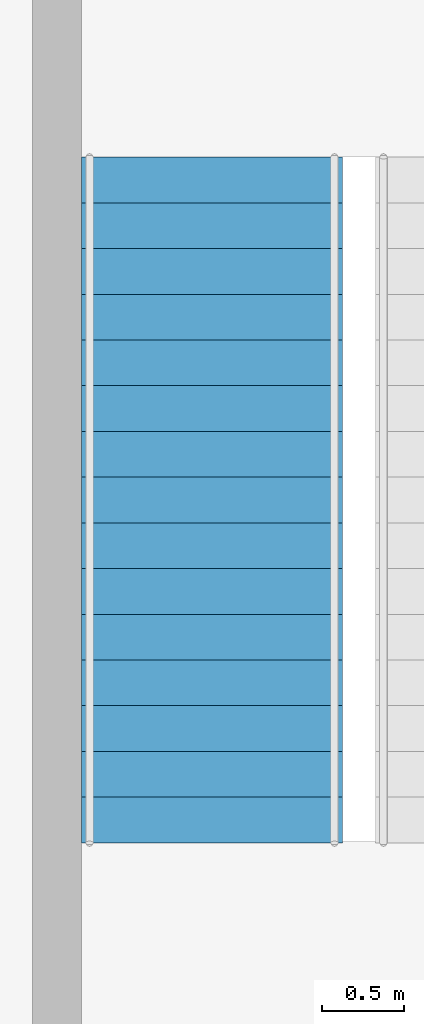
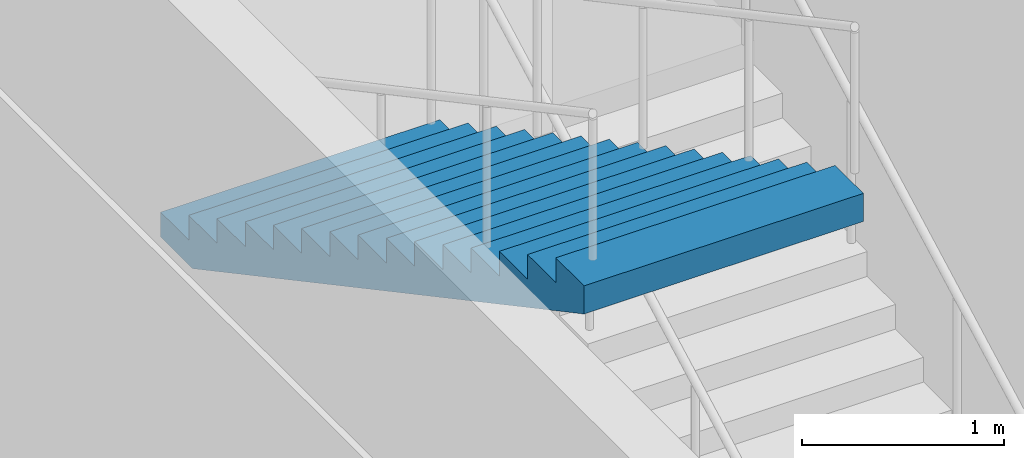
# One storey, part 45 of 53: 1 stair flight, 1 element without a shape of its own.
"""IFC4 building model written with IfcOpenShell, lengths in metres."""

from ifc_helpers import new_model, si_unit, direction, frame, origin, place, context, subcontext, project, spatial, triangles, material, type_object, element, aggregate, save


model = new_model("IFC4")

# Units and contexts
model_context = context("Model", 3, precision=1e-05, world=origin(), true_north=direction((0.0, 1.0)))
body_context = subcontext(model_context, "Body", "Model", "MODEL_VIEW")
ifc_project = project(units=[si_unit("LENGTHUNIT", "METRE"), si_unit("AREAUNIT", "SQUARE_METRE"), si_unit("VOLUMEUNIT", "CUBIC_METRE"), si_unit("PLANEANGLEUNIT", "RADIAN"), si_unit("MASSUNIT", "GRAM", prefix="KILO")], contexts=[model_context])

# Site, building, storey
site_placement = place(None, origin())
site = spatial("IfcSite", under=ifc_project, at=site_placement, CompositionType="ELEMENT")
building_placement = place(site_placement, origin())
building = spatial("IfcBuilding", under=site, at=building_placement, Name="Hakoniwa Tower and Hamabe Station Hall", CompositionType="ELEMENT")
storey_placement = place(building_placement, frame((0.0, 0.0, 15.0)))
storey = spatial("IfcBuildingStorey", under=building, at=storey_placement, Name="L03", CompositionType="ELEMENT", Elevation=15.0)

# Stair, stair flight
ifc_material_1 = material(Name="Concrete C40", Category="concrete")
stair_type = type_object("IfcStairType", Name="STAIR 1600 16X150", PredefinedType="HALF_TURN_STAIR", material=ifc_material_1)
stair_placement = place(storey_placement, origin())
stair = element("IfcStair", 1, at=stair_placement, inside=storey, type_object=stair_type, Name="Escape stair SS1 L03", PredefinedType="HALF_TURN_STAIR")
ifc_material_2 = material(Name="Concrete C40", Category="concrete")
stair_flight_type = type_object("IfcStairFlightType", Name="STAIR FLIGHT 1600", PredefinedType="STRAIGHT", material=ifc_material_2)
stair_flight_placement = place(storey_placement, frame((87.449951171875, 21.10009765625, 2.39990234375), z_axis=(0.0, 0.0, 1.0), x_axis=(0.0, -1.0, 0.0)))
stair_flight = element("IfcStairFlight", 2, at=stair_flight_placement, type_object=stair_flight_type, Name="SS1 flight 2", NumberOfRisers=16, NumberOfTreads=15, PredefinedType="STRAIGHT", RiserHeight=0.15, TreadLength=0.28, context=body_context, shape_type="Tessellation", body=[
    triangles([(0.0, 0.800048828125, 0.0), (0.280029296875, 0.800048828125, 0.0), (0.3173828125, 0.800048828125, 0.0), (0.56005859375, 0.800048828125, 0.1298828125), (0.840087890625, 0.800048828125, 0.280029296875), (1.1201171875, 0.800048828125, 0.429931640625), (1.39990234375, 0.800048828125, 0.579833984375), (1.679931640625, 0.800048828125, 0.72998046875), (1.9599609375, 0.800048828125, 0.8798828125), (2.239990234375, 0.800048828125, 1.030029296875), (2.52001953125, 0.800048828125, 1.179931640625), (2.800048828125, 0.800048828125, 1.329833984375), (3.080078125, 0.800048828125, 1.47998046875), (3.360107421875, 0.800048828125, 1.6298828125), (3.639892578125, 0.800048828125, 1.780029296875), (3.919921875, 0.800048828125, 1.929931640625), (4.199951171875, 0.800048828125, 2.079833984375), (4.199951171875, 0.800048828125, 2.25), (3.919921875, 0.800048828125, 2.25), (3.919921875, 0.800048828125, 2.10009765625), (3.639892578125, 0.800048828125, 2.10009765625), (3.639892578125, 0.800048828125, 1.949951171875), (3.360107421875, 0.800048828125, 1.949951171875), (3.360107421875, 0.800048828125, 1.800048828125), (3.080078125, 0.800048828125, 1.800048828125), (3.080078125, 0.800048828125, 1.64990234375), (2.800048828125, 0.800048828125, 1.64990234375), (2.800048828125, 0.800048828125, 1.5), (2.52001953125, 0.800048828125, 1.5), (2.52001953125, 0.800048828125, 1.35009765625), (2.239990234375, 0.800048828125, 1.35009765625), (2.239990234375, 0.800048828125, 1.199951171875), (1.9599609375, 0.800048828125, 1.199951171875), (1.9599609375, 0.800048828125, 1.050048828125), (1.679931640625, 0.800048828125, 1.050048828125), (1.679931640625, 0.800048828125, 0.89990234375), (1.39990234375, 0.800048828125, 0.89990234375), (1.39990234375, 0.800048828125, 0.75), (1.1201171875, 0.800048828125, 0.75), (1.1201171875, 0.800048828125, 0.60009765625), (0.840087890625, 0.800048828125, 0.60009765625), (0.840087890625, 0.800048828125, 0.449951171875), (0.56005859375, 0.800048828125, 0.449951171875), (0.56005859375, 0.800048828125, 0.300048828125), (0.3173828125, 0.800048828125, 0.300048828125), (0.280029296875, 0.800048828125, 0.300048828125), (0.280029296875, 0.800048828125, 0.14990234375), (0.0, 0.800048828125, 0.14990234375), (0.0, 0.06005859375, 0.0), (0.280029296875, 0.06005859375, 0.0), (0.3173828125, 0.06005859375, 0.0), (0.56005859375, 0.06005859375, 0.1298828125), (0.840087890625, 0.06005859375, 0.280029296875), (1.1201171875, 0.06005859375, 0.429931640625), (1.39990234375, 0.06005859375, 0.579833984375), (1.679931640625, 0.06005859375, 0.72998046875), (1.9599609375, 0.06005859375, 0.8798828125), (2.239990234375, 0.06005859375, 1.030029296875), (2.52001953125, 0.06005859375, 1.179931640625), (2.800048828125, 0.06005859375, 1.329833984375), (3.080078125, 0.06005859375, 1.47998046875), (3.360107421875, 0.06005859375, 1.6298828125), (3.639892578125, 0.06005859375, 1.780029296875), (3.919921875, 0.06005859375, 1.929931640625), (4.199951171875, 0.06005859375, 2.079833984375), (4.199951171875, 0.06005859375, 2.25), (3.919921875, 0.06005859375, 2.25), (3.919921875, 0.06005859375, 2.10009765625), (3.639892578125, 0.06005859375, 2.10009765625), (3.639892578125, 0.06005859375, 1.949951171875), (3.360107421875, 0.06005859375, 1.949951171875), (3.360107421875, 0.06005859375, 1.800048828125), (3.080078125, 0.06005859375, 1.800048828125), (3.080078125, 0.06005859375, 1.64990234375), (2.800048828125, 0.06005859375, 1.64990234375), (2.800048828125, 0.06005859375, 1.5), (2.52001953125, 0.06005859375, 1.5), (2.52001953125, 0.06005859375, 1.35009765625), (2.239990234375, 0.06005859375, 1.35009765625), (2.239990234375, 0.06005859375, 1.199951171875), (1.9599609375, 0.06005859375, 1.199951171875), (1.9599609375, 0.06005859375, 1.050048828125), (1.679931640625, 0.06005859375, 1.050048828125), (1.679931640625, 0.06005859375, 0.89990234375), (1.39990234375, 0.06005859375, 0.89990234375), (1.39990234375, 0.06005859375, 0.75), (1.1201171875, 0.06005859375, 0.75), (1.1201171875, 0.06005859375, 0.60009765625), (0.840087890625, 0.06005859375, 0.60009765625), (0.840087890625, 0.06005859375, 0.449951171875), (0.56005859375, 0.06005859375, 0.449951171875), (0.56005859375, 0.06005859375, 0.300048828125), (0.3173828125, 0.06005859375, 0.300048828125), (0.280029296875, 0.06005859375, 0.300048828125), (0.280029296875, 0.06005859375, 0.14990234375), (0.0, 0.06005859375, 0.14990234375), (0.0, 0.02001953125, 0.0), (0.280029296875, 0.02001953125, 0.0), (0.3173828125, 0.02001953125, 0.0), (0.56005859375, 0.02001953125, 0.1298828125), (0.840087890625, 0.02001953125, 0.280029296875), (1.1201171875, 0.02001953125, 0.429931640625), (1.39990234375, 0.02001953125, 0.579833984375), (1.679931640625, 0.02001953125, 0.72998046875), (1.9599609375, 0.02001953125, 0.8798828125), (2.239990234375, 0.02001953125, 1.030029296875), (2.52001953125, 0.02001953125, 1.179931640625), (2.800048828125, 0.02001953125, 1.329833984375), (3.080078125, 0.02001953125, 1.47998046875), (3.360107421875, 0.02001953125, 1.6298828125), (3.639892578125, 0.02001953125, 1.780029296875), (3.919921875, 0.02001953125, 1.929931640625), (4.199951171875, 0.02001953125, 2.079833984375), (4.199951171875, 0.02001953125, 2.25), (3.919921875, 0.02001953125, 2.25), (3.919921875, 0.02001953125, 2.10009765625), (3.639892578125, 0.02001953125, 2.10009765625), (3.639892578125, 0.02001953125, 1.949951171875), (3.360107421875, 0.02001953125, 1.949951171875), (3.360107421875, 0.02001953125, 1.800048828125), (3.080078125, 0.02001953125, 1.800048828125), (3.080078125, 0.02001953125, 1.64990234375), (2.800048828125, 0.02001953125, 1.64990234375), (2.800048828125, 0.02001953125, 1.5), (2.52001953125, 0.02001953125, 1.5), (2.52001953125, 0.02001953125, 1.35009765625), (2.239990234375, 0.02001953125, 1.35009765625), (2.239990234375, 0.02001953125, 1.199951171875), (1.9599609375, 0.02001953125, 1.199951171875), (1.9599609375, 0.02001953125, 1.050048828125), (1.679931640625, 0.02001953125, 1.050048828125), (1.679931640625, 0.02001953125, 0.89990234375), (1.39990234375, 0.02001953125, 0.89990234375), (1.39990234375, 0.02001953125, 0.75), (1.1201171875, 0.02001953125, 0.75), (1.1201171875, 0.02001953125, 0.60009765625), (0.840087890625, 0.02001953125, 0.60009765625), (0.840087890625, 0.02001953125, 0.449951171875), (0.56005859375, 0.02001953125, 0.449951171875), (0.56005859375, 0.02001953125, 0.300048828125), (0.3173828125, 0.02001953125, 0.300048828125), (0.280029296875, 0.02001953125, 0.300048828125), (0.280029296875, 0.02001953125, 0.14990234375), (0.0, 0.02001953125, 0.14990234375), (0.0, -0.02001953125, 0.0), (0.280029296875, -0.02001953125, 0.0), (0.3173828125, -0.02001953125, 0.0), (0.56005859375, -0.02001953125, 0.1298828125), (0.840087890625, -0.02001953125, 0.280029296875), (1.1201171875, -0.02001953125, 0.429931640625), (1.39990234375, -0.02001953125, 0.579833984375), (1.679931640625, -0.02001953125, 0.72998046875), (1.9599609375, -0.02001953125, 0.8798828125), (2.239990234375, -0.02001953125, 1.030029296875), (2.52001953125, -0.02001953125, 1.179931640625), (2.800048828125, -0.02001953125, 1.329833984375), (3.080078125, -0.02001953125, 1.47998046875), (3.360107421875, -0.02001953125, 1.6298828125), (3.639892578125, -0.02001953125, 1.780029296875), (3.919921875, -0.02001953125, 1.929931640625), (4.199951171875, -0.02001953125, 2.079833984375), (4.199951171875, -0.02001953125, 2.25), (3.919921875, -0.02001953125, 2.25), (3.919921875, -0.02001953125, 2.10009765625), (3.639892578125, -0.02001953125, 2.10009765625), (3.639892578125, -0.02001953125, 1.949951171875), (3.360107421875, -0.02001953125, 1.949951171875), (3.360107421875, -0.02001953125, 1.800048828125), (3.080078125, -0.02001953125, 1.800048828125), (3.080078125, -0.02001953125, 1.64990234375), (2.800048828125, -0.02001953125, 1.64990234375), (2.800048828125, -0.02001953125, 1.5), (2.52001953125, -0.02001953125, 1.5), (2.52001953125, -0.02001953125, 1.35009765625), (2.239990234375, -0.02001953125, 1.35009765625), (2.239990234375, -0.02001953125, 1.199951171875), (1.9599609375, -0.02001953125, 1.199951171875), (1.9599609375, -0.02001953125, 1.050048828125), (1.679931640625, -0.02001953125, 1.050048828125), (1.679931640625, -0.02001953125, 0.89990234375), (1.39990234375, -0.02001953125, 0.89990234375), (1.39990234375, -0.02001953125, 0.75), (1.1201171875, -0.02001953125, 0.75), (1.1201171875, -0.02001953125, 0.60009765625), (0.840087890625, -0.02001953125, 0.60009765625), (0.840087890625, -0.02001953125, 0.449951171875), (0.56005859375, -0.02001953125, 0.449951171875), (0.56005859375, -0.02001953125, 0.300048828125), (0.3173828125, -0.02001953125, 0.300048828125), (0.280029296875, -0.02001953125, 0.300048828125), (0.280029296875, -0.02001953125, 0.14990234375), (0.0, -0.02001953125, 0.14990234375), (0.0, -0.06005859375, 0.0), (0.280029296875, -0.06005859375, 0.0), (0.3173828125, -0.06005859375, 0.0), (0.56005859375, -0.06005859375, 0.1298828125), (0.840087890625, -0.06005859375, 0.280029296875), (1.1201171875, -0.06005859375, 0.429931640625), (1.39990234375, -0.06005859375, 0.579833984375), (1.679931640625, -0.06005859375, 0.72998046875), (1.9599609375, -0.06005859375, 0.8798828125), (2.239990234375, -0.06005859375, 1.030029296875), (2.52001953125, -0.06005859375, 1.179931640625), (2.800048828125, -0.06005859375, 1.329833984375), (3.080078125, -0.06005859375, 1.47998046875), (3.360107421875, -0.06005859375, 1.6298828125), (3.639892578125, -0.06005859375, 1.780029296875), (3.919921875, -0.06005859375, 1.929931640625), (4.199951171875, -0.06005859375, 2.079833984375), (4.199951171875, -0.06005859375, 2.25), (3.919921875, -0.06005859375, 2.25), (3.919921875, -0.06005859375, 2.10009765625), (3.639892578125, -0.06005859375, 2.10009765625), (3.639892578125, -0.06005859375, 1.949951171875), (3.360107421875, -0.06005859375, 1.949951171875), (3.360107421875, -0.06005859375, 1.800048828125), (3.080078125, -0.06005859375, 1.800048828125), (3.080078125, -0.06005859375, 1.64990234375), (2.800048828125, -0.06005859375, 1.64990234375), (2.800048828125, -0.06005859375, 1.5), (2.52001953125, -0.06005859375, 1.5), (2.52001953125, -0.06005859375, 1.35009765625), (2.239990234375, -0.06005859375, 1.35009765625), (2.239990234375, -0.06005859375, 1.199951171875), (1.9599609375, -0.06005859375, 1.199951171875), (1.9599609375, -0.06005859375, 1.050048828125), (1.679931640625, -0.06005859375, 1.050048828125), (1.679931640625, -0.06005859375, 0.89990234375), (1.39990234375, -0.06005859375, 0.89990234375), (1.39990234375, -0.06005859375, 0.75), (1.1201171875, -0.06005859375, 0.75), (1.1201171875, -0.06005859375, 0.60009765625), (0.840087890625, -0.06005859375, 0.60009765625), (0.840087890625, -0.06005859375, 0.449951171875), (0.56005859375, -0.06005859375, 0.449951171875), (0.56005859375, -0.06005859375, 0.300048828125), (0.3173828125, -0.06005859375, 0.300048828125), (0.280029296875, -0.06005859375, 0.300048828125), (0.280029296875, -0.06005859375, 0.14990234375), (0.0, -0.06005859375, 0.14990234375), (0.0, -0.800048828125, 0.0), (0.280029296875, -0.800048828125, 0.0), (0.3173828125, -0.800048828125, 0.0), (0.56005859375, -0.800048828125, 0.1298828125), (0.840087890625, -0.800048828125, 0.280029296875), (1.1201171875, -0.800048828125, 0.429931640625), (1.39990234375, -0.800048828125, 0.579833984375), (1.679931640625, -0.800048828125, 0.72998046875), (1.9599609375, -0.800048828125, 0.8798828125), (2.239990234375, -0.800048828125, 1.030029296875), (2.52001953125, -0.800048828125, 1.179931640625), (2.800048828125, -0.800048828125, 1.329833984375), (3.080078125, -0.800048828125, 1.47998046875), (3.360107421875, -0.800048828125, 1.6298828125), (3.639892578125, -0.800048828125, 1.780029296875), (3.919921875, -0.800048828125, 1.929931640625), (4.199951171875, -0.800048828125, 2.079833984375), (4.199951171875, -0.800048828125, 2.25), (3.919921875, -0.800048828125, 2.25), (3.919921875, -0.800048828125, 2.10009765625), (3.639892578125, -0.800048828125, 2.10009765625), (3.639892578125, -0.800048828125, 1.949951171875), (3.360107421875, -0.800048828125, 1.949951171875), (3.360107421875, -0.800048828125, 1.800048828125), (3.080078125, -0.800048828125, 1.800048828125), (3.080078125, -0.800048828125, 1.64990234375), (2.800048828125, -0.800048828125, 1.64990234375), (2.800048828125, -0.800048828125, 1.5), (2.52001953125, -0.800048828125, 1.5), (2.52001953125, -0.800048828125, 1.35009765625), (2.239990234375, -0.800048828125, 1.35009765625), (2.239990234375, -0.800048828125, 1.199951171875), (1.9599609375, -0.800048828125, 1.199951171875), (1.9599609375, -0.800048828125, 1.050048828125), (1.679931640625, -0.800048828125, 1.050048828125), (1.679931640625, -0.800048828125, 0.89990234375), (1.39990234375, -0.800048828125, 0.89990234375), (1.39990234375, -0.800048828125, 0.75), (1.1201171875, -0.800048828125, 0.75), (1.1201171875, -0.800048828125, 0.60009765625), (0.840087890625, -0.800048828125, 0.60009765625), (0.840087890625, -0.800048828125, 0.449951171875), (0.56005859375, -0.800048828125, 0.449951171875), (0.56005859375, -0.800048828125, 0.300048828125), (0.3173828125, -0.800048828125, 0.300048828125), (0.280029296875, -0.800048828125, 0.300048828125), (0.280029296875, -0.800048828125, 0.14990234375), (0.0, -0.800048828125, 0.14990234375)], [[2, 48, 47], [242, 287, 288], [2, 1, 48], [242, 288, 241], [3, 46, 45], [243, 285, 286], [3, 47, 46], [243, 286, 287], [3, 2, 47], [243, 287, 242], [4, 45, 44], [244, 284, 285], [4, 3, 45], [244, 285, 243], [5, 43, 42], [245, 282, 283], [5, 44, 43], [245, 283, 284], [5, 4, 44], [245, 284, 244], [6, 41, 40], [246, 280, 281], [6, 42, 41], [246, 281, 282], [6, 5, 42], [246, 282, 245], [7, 39, 38], [247, 278, 279], [7, 40, 39], [247, 279, 280], [7, 6, 40], [247, 280, 246], [8, 37, 36], [248, 276, 277], [8, 38, 37], [248, 277, 278], [8, 7, 38], [248, 278, 247], [9, 35, 34], [249, 274, 275], [9, 36, 35], [249, 275, 276], [9, 8, 36], [249, 276, 248], [10, 33, 32], [250, 272, 273], [10, 34, 33], [250, 273, 274], [10, 9, 34], [250, 274, 249], [11, 31, 30], [251, 270, 271], [11, 32, 31], [251, 271, 272], [11, 10, 32], [251, 272, 250], [12, 29, 28], [252, 268, 269], [12, 30, 29], [252, 269, 270], [12, 11, 30], [252, 270, 251], [13, 27, 26], [253, 266, 267], [13, 28, 27], [253, 267, 268], [13, 12, 28], [253, 268, 252], [14, 25, 24], [254, 264, 265], [14, 26, 25], [254, 265, 266], [14, 13, 26], [254, 266, 253], [15, 23, 22], [255, 262, 263], [15, 24, 23], [255, 263, 264], [15, 14, 24], [255, 264, 254], [16, 21, 20], [256, 260, 261], [16, 22, 21], [256, 261, 262], [16, 15, 22], [256, 262, 255], [17, 19, 18], [257, 258, 259], [17, 20, 19], [257, 259, 260], [17, 16, 20], [257, 260, 256], [1, 2, 50], [1, 50, 49], [49, 50, 98], [49, 98, 97], [97, 98, 146], [97, 146, 145], [145, 146, 194], [145, 194, 193], [193, 194, 242], [193, 242, 241], [2, 3, 51], [2, 51, 50], [50, 51, 99], [50, 99, 98], [98, 99, 147], [98, 147, 146], [146, 147, 195], [146, 195, 194], [194, 195, 243], [194, 243, 242], [3, 4, 52], [3, 52, 51], [51, 52, 100], [51, 100, 99], [99, 100, 148], [99, 148, 147], [147, 148, 196], [147, 196, 195], [195, 196, 244], [195, 244, 243], [4, 5, 53], [4, 53, 52], [52, 53, 101], [52, 101, 100], [100, 101, 149], [100, 149, 148], [148, 149, 197], [148, 197, 196], [196, 197, 245], [196, 245, 244], [5, 6, 54], [5, 54, 53], [53, 54, 102], [53, 102, 101], [101, 102, 150], [101, 150, 149], [149, 150, 198], [149, 198, 197], [197, 198, 246], [197, 246, 245], [6, 7, 55], [6, 55, 54], [54, 55, 103], [54, 103, 102], [102, 103, 151], [102, 151, 150], [150, 151, 199], [150, 199, 198], [198, 199, 247], [198, 247, 246], [7, 8, 56], [7, 56, 55], [55, 56, 104], [55, 104, 103], [103, 104, 152], [103, 152, 151], [151, 152, 200], [151, 200, 199], [199, 200, 248], [199, 248, 247], [8, 9, 57], [8, 57, 56], [56, 57, 105], [56, 105, 104], [104, 105, 153], [104, 153, 152], [152, 153, 201], [152, 201, 200], [200, 201, 249], [200, 249, 248], [9, 10, 58], [9, 58, 57], [57, 58, 106], [57, 106, 105], [105, 106, 154], [105, 154, 153], [153, 154, 202], [153, 202, 201], [201, 202, 250], [201, 250, 249], [10, 11, 59], [10, 59, 58], [58, 59, 107], [58, 107, 106], [106, 107, 155], [106, 155, 154], [154, 155, 203], [154, 203, 202], [202, 203, 251], [202, 251, 250], [11, 12, 60], [11, 60, 59], [59, 60, 108], [59, 108, 107], [107, 108, 156], [107, 156, 155], [155, 156, 204], [155, 204, 203], [203, 204, 252], [203, 252, 251], [12, 13, 61], [12, 61, 60], [60, 61, 109], [60, 109, 108], [108, 109, 157], [108, 157, 156], [156, 157, 205], [156, 205, 204], [204, 205, 253], [204, 253, 252], [13, 14, 62], [13, 62, 61], [61, 62, 110], [61, 110, 109], [109, 110, 158], [109, 158, 157], [157, 158, 206], [157, 206, 205], [205, 206, 254], [205, 254, 253], [14, 15, 63], [14, 63, 62], [62, 63, 111], [62, 111, 110], [110, 111, 159], [110, 159, 158], [158, 159, 207], [158, 207, 206], [206, 207, 255], [206, 255, 254], [15, 16, 64], [15, 64, 63], [63, 64, 112], [63, 112, 111], [111, 112, 160], [111, 160, 159], [159, 160, 208], [159, 208, 207], [207, 208, 256], [207, 256, 255], [16, 17, 65], [16, 65, 64], [64, 65, 113], [64, 113, 112], [112, 113, 161], [112, 161, 160], [160, 161, 209], [160, 209, 208], [208, 209, 257], [208, 257, 256], [17, 18, 66], [17, 66, 65], [65, 66, 114], [65, 114, 113], [113, 114, 162], [113, 162, 161], [161, 162, 210], [161, 210, 209], [209, 210, 258], [209, 258, 257], [18, 19, 67], [18, 67, 66], [66, 67, 115], [66, 115, 114], [114, 115, 163], [114, 163, 162], [162, 163, 211], [162, 211, 210], [210, 211, 259], [210, 259, 258], [19, 20, 68], [19, 68, 67], [67, 68, 116], [67, 116, 115], [115, 116, 164], [115, 164, 163], [163, 164, 212], [163, 212, 211], [211, 212, 260], [211, 260, 259], [20, 21, 69], [20, 69, 68], [68, 69, 117], [68, 117, 116], [116, 117, 165], [116, 165, 164], [164, 165, 213], [164, 213, 212], [212, 213, 261], [212, 261, 260], [21, 22, 70], [21, 70, 69], [69, 70, 118], [69, 118, 117], [117, 118, 166], [117, 166, 165], [165, 166, 214], [165, 214, 213], [213, 214, 262], [213, 262, 261], [22, 23, 71], [22, 71, 70], [70, 71, 119], [70, 119, 118], [118, 119, 167], [118, 167, 166], [166, 167, 215], [166, 215, 214], [214, 215, 263], [214, 263, 262], [23, 24, 72], [23, 72, 71], [71, 72, 120], [71, 120, 119], [119, 120, 168], [119, 168, 167], [167, 168, 216], [167, 216, 215], [215, 216, 264], [215, 264, 263], [24, 25, 73], [24, 73, 72], [72, 73, 121], [72, 121, 120], [120, 121, 169], [120, 169, 168], [168, 169, 217], [168, 217, 216], [216, 217, 265], [216, 265, 264], [25, 26, 74], [25, 74, 73], [73, 74, 122], [73, 122, 121], [121, 122, 170], [121, 170, 169], [169, 170, 218], [169, 218, 217], [217, 218, 266], [217, 266, 265], [26, 27, 75], [26, 75, 74], [74, 75, 123], [74, 123, 122], [122, 123, 171], [122, 171, 170], [170, 171, 219], [170, 219, 218], [218, 219, 267], [218, 267, 266], [27, 28, 76], [27, 76, 75], [75, 76, 124], [75, 124, 123], [123, 124, 172], [123, 172, 171], [171, 172, 220], [171, 220, 219], [219, 220, 268], [219, 268, 267], [28, 29, 77], [28, 77, 76], [76, 77, 125], [76, 125, 124], [124, 125, 173], [124, 173, 172], [172, 173, 221], [172, 221, 220], [220, 221, 269], [220, 269, 268], [29, 30, 78], [29, 78, 77], [77, 78, 126], [77, 126, 125], [125, 126, 174], [125, 174, 173], [173, 174, 222], [173, 222, 221], [221, 222, 270], [221, 270, 269], [30, 31, 79], [30, 79, 78], [78, 79, 127], [78, 127, 126], [126, 127, 175], [126, 175, 174], [174, 175, 223], [174, 223, 222], [222, 223, 271], [222, 271, 270], [31, 32, 80], [31, 80, 79], [79, 80, 128], [79, 128, 127], [127, 128, 176], [127, 176, 175], [175, 176, 224], [175, 224, 223], [223, 224, 272], [223, 272, 271], [32, 33, 81], [32, 81, 80], [80, 81, 129], [80, 129, 128], [128, 129, 177], [128, 177, 176], [176, 177, 225], [176, 225, 224], [224, 225, 273], [224, 273, 272], [33, 34, 82], [33, 82, 81], [81, 82, 130], [81, 130, 129], [129, 130, 178], [129, 178, 177], [177, 178, 226], [177, 226, 225], [225, 226, 274], [225, 274, 273], [34, 35, 83], [34, 83, 82], [82, 83, 131], [82, 131, 130], [130, 131, 179], [130, 179, 178], [178, 179, 227], [178, 227, 226], [226, 227, 275], [226, 275, 274], [35, 36, 84], [35, 84, 83], [83, 84, 132], [83, 132, 131], [131, 132, 180], [131, 180, 179], [179, 180, 228], [179, 228, 227], [227, 228, 276], [227, 276, 275], [36, 37, 85], [36, 85, 84], [84, 85, 133], [84, 133, 132], [132, 133, 181], [132, 181, 180], [180, 181, 229], [180, 229, 228], [228, 229, 277], [228, 277, 276], [37, 38, 86], [37, 86, 85], [85, 86, 134], [85, 134, 133], [133, 134, 182], [133, 182, 181], [181, 182, 230], [181, 230, 229], [229, 230, 278], [229, 278, 277], [38, 39, 87], [38, 87, 86], [86, 87, 135], [86, 135, 134], [134, 135, 183], [134, 183, 182], [182, 183, 231], [182, 231, 230], [230, 231, 279], [230, 279, 278], [39, 40, 88], [39, 88, 87], [87, 88, 136], [87, 136, 135], [135, 136, 184], [135, 184, 183], [183, 184, 232], [183, 232, 231], [231, 232, 280], [231, 280, 279], [40, 41, 89], [40, 89, 88], [88, 89, 137], [88, 137, 136], [136, 137, 185], [136, 185, 184], [184, 185, 233], [184, 233, 232], [232, 233, 281], [232, 281, 280], [41, 42, 90], [41, 90, 89], [89, 90, 138], [89, 138, 137], [137, 138, 186], [137, 186, 185], [185, 186, 234], [185, 234, 233], [233, 234, 282], [233, 282, 281], [42, 43, 91], [42, 91, 90], [90, 91, 139], [90, 139, 138], [138, 139, 187], [138, 187, 186], [186, 187, 235], [186, 235, 234], [234, 235, 283], [234, 283, 282], [43, 44, 92], [43, 92, 91], [91, 92, 140], [91, 140, 139], [139, 140, 188], [139, 188, 187], [187, 188, 236], [187, 236, 235], [235, 236, 284], [235, 284, 283], [44, 45, 93], [44, 93, 92], [92, 93, 141], [92, 141, 140], [140, 141, 189], [140, 189, 188], [188, 189, 237], [188, 237, 236], [236, 237, 285], [236, 285, 284], [45, 46, 94], [45, 94, 93], [93, 94, 142], [93, 142, 141], [141, 142, 190], [141, 190, 189], [189, 190, 238], [189, 238, 237], [237, 238, 286], [237, 286, 285], [46, 47, 95], [46, 95, 94], [94, 95, 143], [94, 143, 142], [142, 143, 191], [142, 191, 190], [190, 191, 239], [190, 239, 238], [238, 239, 287], [238, 287, 286], [47, 48, 96], [47, 96, 95], [95, 96, 144], [95, 144, 143], [143, 144, 192], [143, 192, 191], [191, 192, 240], [191, 240, 239], [239, 240, 288], [239, 288, 287], [48, 1, 49], [48, 49, 96], [96, 49, 97], [96, 97, 144], [144, 97, 145], [144, 145, 192], [192, 145, 193], [192, 193, 240], [240, 193, 241], [240, 241, 288]], closed=True),
])
aggregate(stair, [stair_flight])

save(model, "model.ifc")
